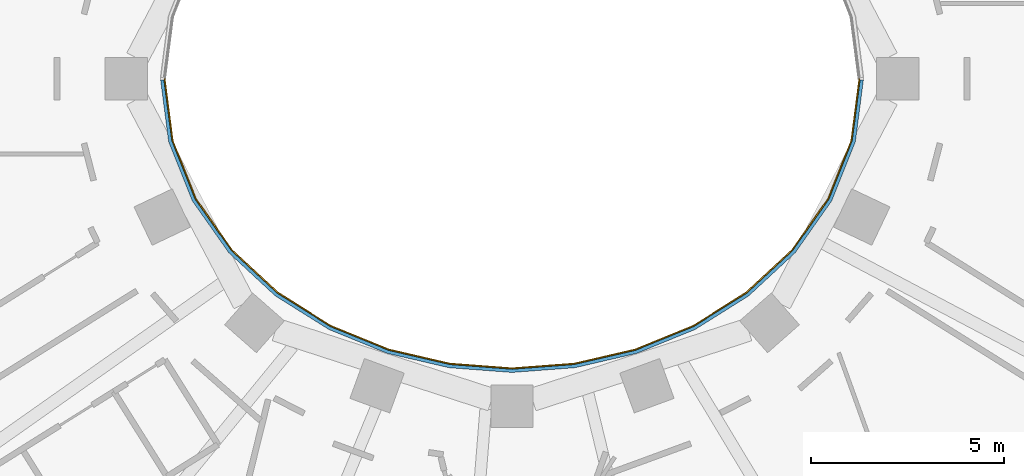
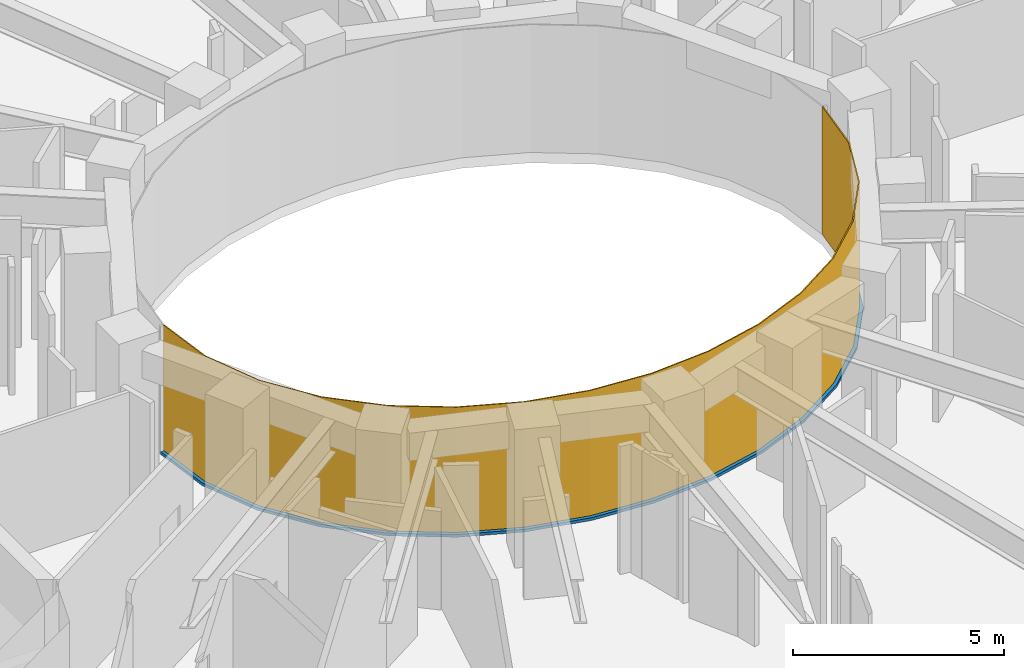
# One storey, part 9 of 16: 1 curtain wall, 1 member.
"""IFC4 building model written with IfcOpenShell, lengths in metres."""

from ifc_helpers import new_model, si_unit, direction, frame, origin, place, context, subcontext, project, spatial, polyline, outline, extrude, material, layer, layer_set, type_object, element, aggregate, save


model = new_model("IFC4")

# Units and contexts
model_context = context("Model", 3, precision=1e-05, world=origin(), true_north=direction((0.0, 1.0)))
body_context = subcontext(model_context, "Body", "Model", "MODEL_VIEW")
ifc_project = project(units=[si_unit("LENGTHUNIT", "METRE"), si_unit("AREAUNIT", "SQUARE_METRE"), si_unit("VOLUMEUNIT", "CUBIC_METRE"), si_unit("PLANEANGLEUNIT", "RADIAN"), si_unit("MASSUNIT", "GRAM", prefix="KILO")], contexts=[model_context])

# Member
ifc_material_1 = material(Name="Steel S355 fire-resisting frame", Category="steel")
member_type = type_object("IfcMemberType", Name="ENV-TRANSOM-W", PredefinedType="USERDEFINED", material=ifc_material_1)
site_placement = place(None, origin())
building_placement = place(site_placement, origin())
storey_placement = place(building_placement, frame((0.0, 0.0, 150.0)))
member_placement = place(storey_placement, origin())
member = element("IfcMember", 1, at=member_placement, type_object=member_type, Name="Transom W well 17-01", ObjectType="TRANSOM", PredefinedType="USERDEFINED", context=body_context, shape_type="SweptSolid", body=[
    extrude(outline(polyline([(-9.119384765625, -0.02783203125), (-8.910400390625, -1.63623046875), (-8.29833984375, -3.167236328125), (-7.35107421875, -4.5146484375), (-6.1455078125, -5.6337890625), (-4.75341796875, -6.50634765625), (-3.233642578125, -7.127685546875), (-1.635498046875, -7.498779296875), (0.0, -7.622314453125), (1.635498046875, -7.498779296875), (3.233642578125, -7.127685546875), (4.75341796875, -6.50634765625), (6.1455078125, -5.6337890625), (7.35107421875, -4.5146484375), (8.29833984375, -3.167236328125), (8.910400390625, -1.63623046875), (9.119384765625, -0.02783203125), (9.02880859375, -0.02783203125), (8.822509765625, -1.61328125), (8.21875, -3.124267578125), (7.282958984375, -4.455078125), (6.090576171875, -5.56201171875), (4.712158203125, -6.426025390625), (3.206298828125, -7.04150390625), (1.621826171875, -7.40966796875), (0.0, -7.531982421875), (-1.621826171875, -7.40966796875), (-3.206298828125, -7.04150390625), (-4.712158203125, -6.426025390625), (-6.090576171875, -5.56201171875), (-7.282958984375, -4.455078125), (-8.21875, -3.124267578125), (-8.822509765625, -1.61328125), (-9.02880859375, -0.02783203125), (-9.119384765625, -0.02783203125)])), origin(), (0.0, 0.0, 1.0), 0.080078125),
])

# Site, building, storey
site = spatial("IfcSite", under=ifc_project, at=site_placement, CompositionType="ELEMENT")
building = spatial("IfcBuilding", under=site, at=building_placement, Name="Noorbagh Ring Tower", CompositionType="ELEMENT")
storey = spatial("IfcBuildingStorey", under=building, at=storey_placement, Name="L34", CompositionType="ELEMENT", Elevation=150.0)

# Curtain wall
ifc_material_2 = material(Name="Glass fire-resisting E60 laminated", Category="glass")
ifc_layer = layer(ifc_material_2, 0.031982421875)
ifc_layer_set = layer_set([ifc_layer], Name="Glass fire-resisting E60 laminated")
curtain_wall_type = type_object("IfcCurtainWallType", Name="ENV-CW-W", PredefinedType="NOTDEFINED", material=ifc_layer_set)
curtain_wall_placement = place(storey_placement, origin())
curtain_wall = element("IfcCurtainWall", 2, at=curtain_wall_placement, inside=storey, type_object=curtain_wall_type, Name="Curtain wall W W17", PredefinedType="NOTDEFINED", context=body_context, shape_type="SweptSolid", body=[
    extrude(outline(polyline([(-9.0322265625, 0.0), (-8.822509765625, -1.61328125), (-8.21875, -3.124267578125), (-7.282958984375, -4.455078125), (-6.090576171875, -5.56201171875), (-4.712158203125, -6.426025390625), (-3.206298828125, -7.04150390625), (-1.621826171875, -7.40966796875), (0.0, -7.531982421875), (1.621826171875, -7.40966796875), (3.206298828125, -7.04150390625), (4.712158203125, -6.426025390625), (6.090576171875, -5.56201171875), (7.282958984375, -4.455078125), (8.21875, -3.124267578125), (8.822509765625, -1.61328125), (9.0322265625, 0.0), (9.0, 0.0), (8.79150390625, -1.605224609375), (8.1904296875, -3.10888671875), (7.2587890625, -4.43408203125), (6.071044921875, -5.53662109375), (4.697509765625, -6.3974609375), (3.196533203125, -7.010986328125), (1.6171875, -7.3779296875), (0.0, -7.5), (-1.6171875, -7.3779296875), (-3.196533203125, -7.010986328125), (-4.697509765625, -6.3974609375), (-6.071044921875, -5.53662109375), (-7.2587890625, -4.43408203125), (-8.1904296875, -3.10888671875), (-8.79150390625, -1.605224609375), (-9.0, 0.0), (-9.0322265625, 0.0)])), origin(), (0.0, 0.0, 1.0), 3.699951171875),
])

aggregate(curtain_wall, [member])

save(model, "model.ifc")
